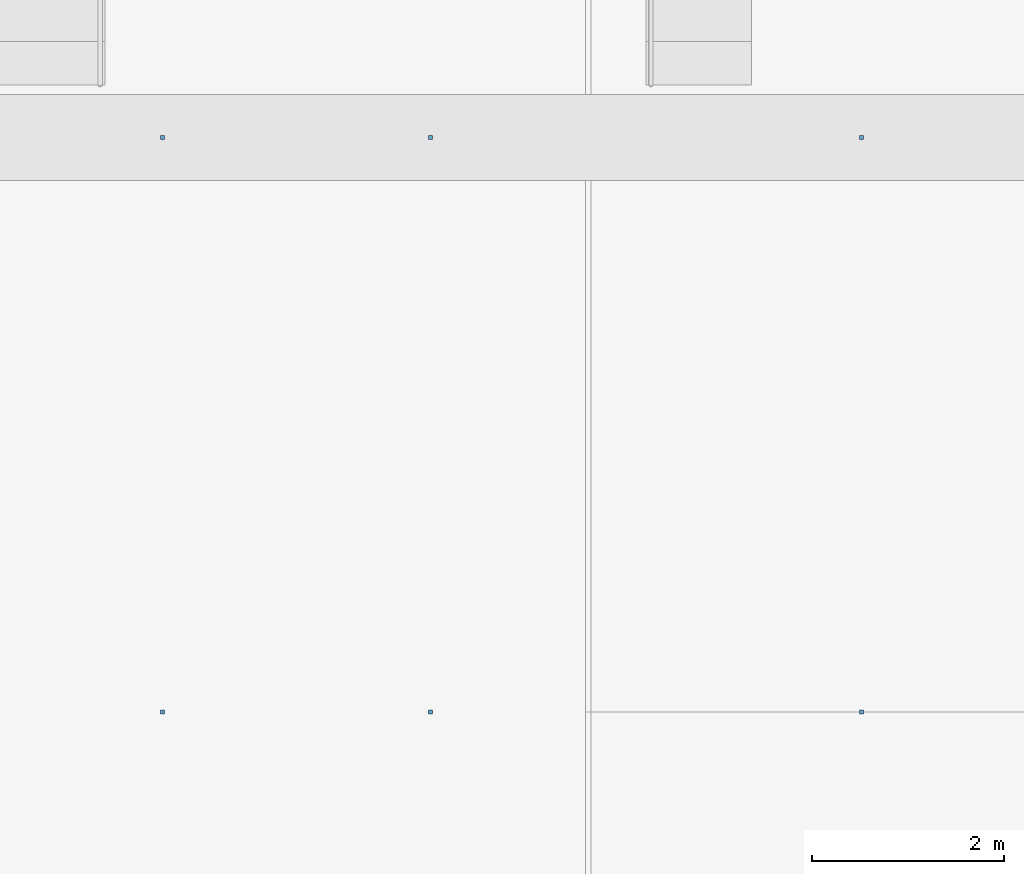
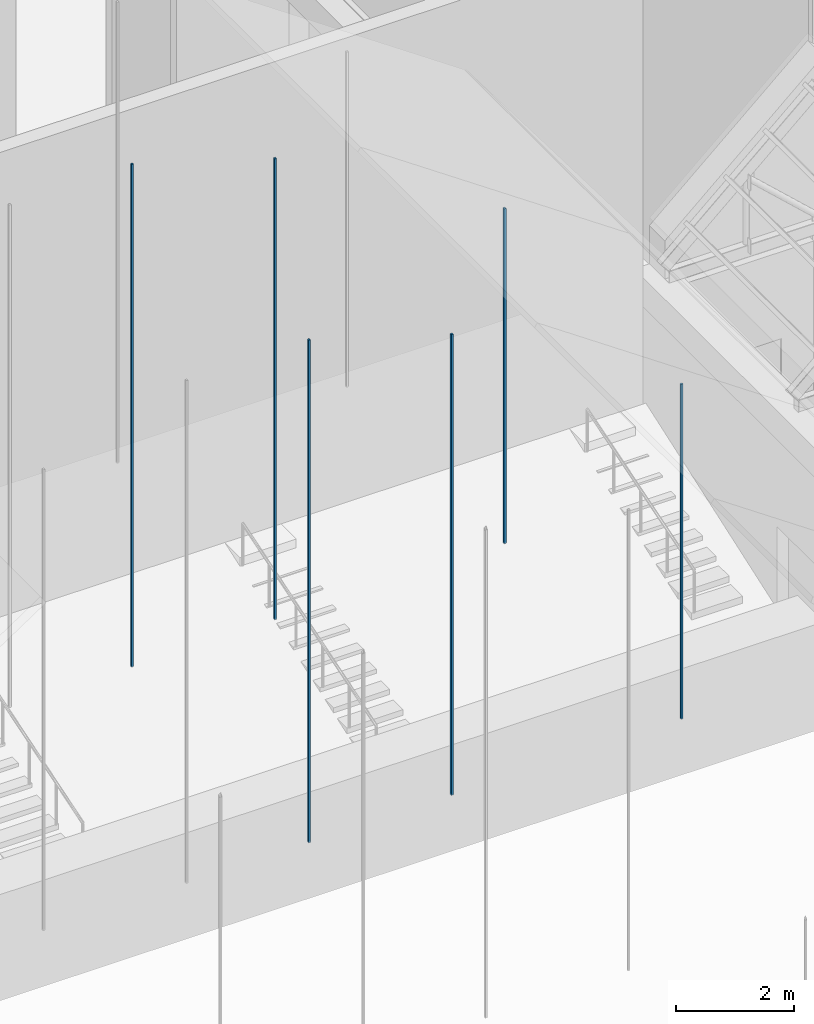
# One storey, part 76 of 118: 6 discrete accessories.
"""IFC4 building model written with IfcOpenShell, lengths in metres."""

from ifc_helpers import new_model, si_unit, direction, frame, origin, origin_2d, place, context, subcontext, project, spatial, rectangle, extrude, element, save


model = new_model("IFC4")

# Units and contexts
model_context = context("Model", 3, precision=1e-05, world=origin(), true_north=direction((0.0, 1.0)))
body_context = subcontext(model_context, "Body", "Model", "MODEL_VIEW")
ifc_project = project(units=[si_unit("LENGTHUNIT", "METRE"), si_unit("AREAUNIT", "SQUARE_METRE"), si_unit("VOLUMEUNIT", "CUBIC_METRE"), si_unit("PLANEANGLEUNIT", "RADIAN"), si_unit("MASSUNIT", "GRAM", prefix="KILO")], contexts=[model_context])

# Site, building, storey
site_placement = place(None, origin())
site = spatial("IfcSite", under=ifc_project, at=site_placement, CompositionType="ELEMENT")
building_placement = place(site_placement, origin())
building = spatial("IfcBuilding", under=site, at=building_placement, Name="Saffron Lane Theatres", CompositionType="ELEMENT")
storey_placement = place(building_placement, frame((0.0, 0.0, 16.5)))
storey = spatial("IfcBuildingStorey", under=building, at=storey_placement, Name="L03", CompositionType="ELEMENT", Elevation=16.5)

# Discrete accessories
discrete_accessory_1_placement = place(storey_placement, frame((34.199951171875, 78.0, 4.56005859375), z_axis=(0.0, 0.0, 1.0), x_axis=(1.0, 0.0, 0.0)))
element("IfcDiscreteAccessory", 1, at=discrete_accessory_1_placement, inside=storey, Name="Ceiling hanger", PredefinedType="BRACKET", context=body_context, shape_type="SweptSolid", body=[
    extrude(rectangle(XDim=0.0400390625, YDim=0.0400390625, at=origin_2d()), origin(), (0.0, 0.0, 1.0), 10.412841796875),
])
discrete_accessory_2_placement = place(storey_placement, frame((37.0, 78.0, 4.56005859375), z_axis=(0.0, 0.0, 1.0), x_axis=(1.0, 0.0, 0.0)))
element("IfcDiscreteAccessory", 2, at=discrete_accessory_2_placement, inside=storey, Name="Ceiling hanger", PredefinedType="BRACKET", context=body_context, shape_type="SweptSolid", body=[
    extrude(rectangle(XDim=0.0400390625, YDim=0.0400390625, at=origin_2d()), origin(), (0.0, 0.0, 1.0), 9.54833984375),
])
discrete_accessory_3_placement = place(storey_placement, frame((41.5, 78.0, 4.56005859375), z_axis=(0.0, 0.0, 1.0), x_axis=(1.0, 0.0, 0.0)))
element("IfcDiscreteAccessory", 3, at=discrete_accessory_3_placement, inside=storey, Name="Ceiling hanger", PredefinedType="BRACKET", context=body_context, shape_type="SweptSolid", body=[
    extrude(rectangle(XDim=0.0400390625, YDim=0.0400390625, at=origin_2d()), origin(), (0.0, 0.0, 1.0), 6.9375),
])
discrete_accessory_4_placement = place(storey_placement, frame((34.199951171875, 84.0, 4.56005859375), z_axis=(0.0, 0.0, 1.0), x_axis=(1.0, 0.0, 0.0)))
element("IfcDiscreteAccessory", 4, at=discrete_accessory_4_placement, inside=storey, Name="Ceiling hanger", PredefinedType="BRACKET", context=body_context, shape_type="SweptSolid", body=[
    extrude(rectangle(XDim=0.0400390625, YDim=0.0400390625, at=origin_2d()), origin(), (0.0, 0.0, 1.0), 10.412841796875),
])
discrete_accessory_5_placement = place(storey_placement, frame((37.0, 84.0, 4.56005859375), z_axis=(0.0, 0.0, 1.0), x_axis=(1.0, 0.0, 0.0)))
element("IfcDiscreteAccessory", 5, at=discrete_accessory_5_placement, inside=storey, Name="Ceiling hanger", PredefinedType="BRACKET", context=body_context, shape_type="SweptSolid", body=[
    extrude(rectangle(XDim=0.0400390625, YDim=0.0400390625, at=origin_2d()), origin(), (0.0, 0.0, 1.0), 9.54833984375),
])
discrete_accessory_6_placement = place(storey_placement, frame((41.5, 84.0, 4.56005859375), z_axis=(0.0, 0.0, 1.0), x_axis=(1.0, 0.0, 0.0)))
element("IfcDiscreteAccessory", 6, at=discrete_accessory_6_placement, inside=storey, Name="Ceiling hanger", PredefinedType="BRACKET", context=body_context, shape_type="SweptSolid", body=[
    extrude(rectangle(XDim=0.0400390625, YDim=0.0400390625, at=origin_2d()), origin(), (0.0, 0.0, 1.0), 6.9375),
])

save(model, "model.ifc")
